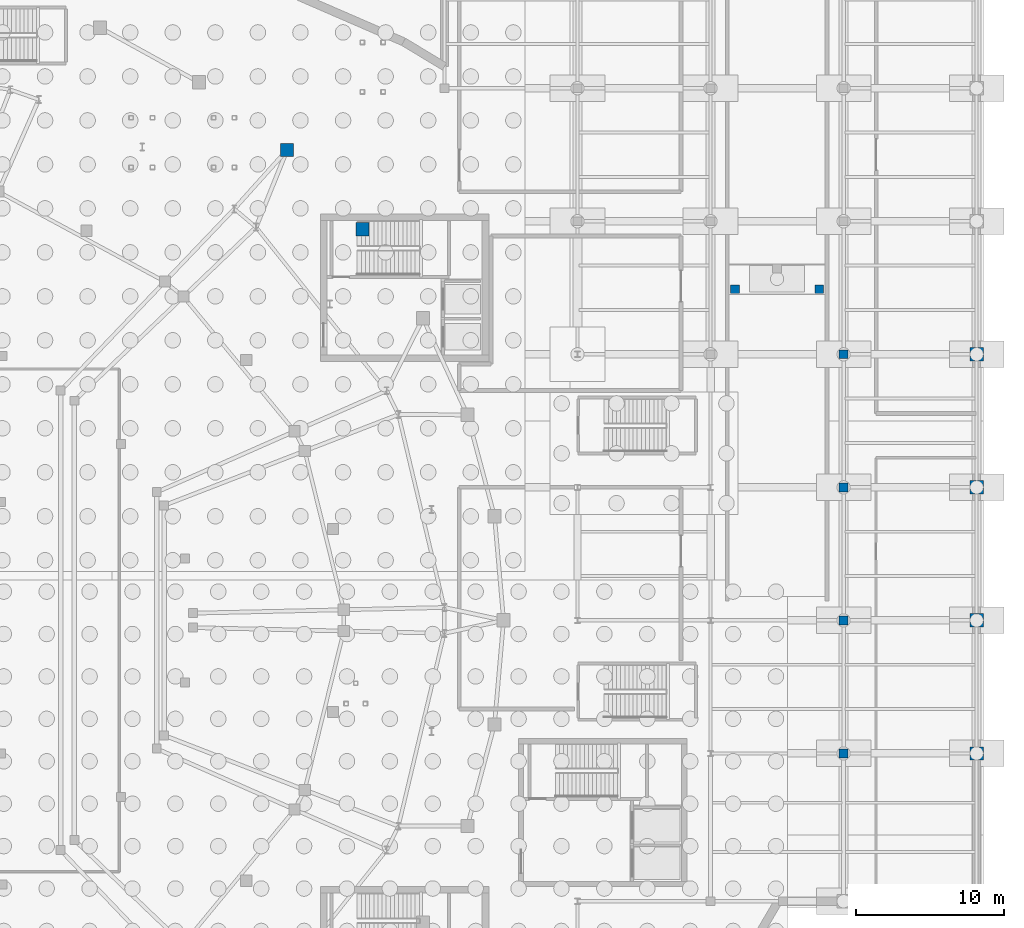
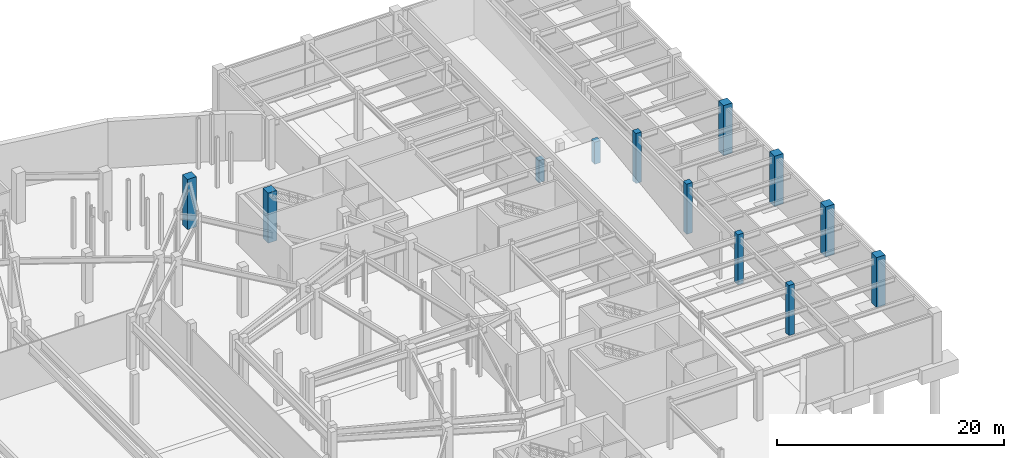
# One storey, part 28 of 56: 12 columns.
"""IFC4 building model written with IfcOpenShell, lengths in metres."""

import ifcopenshell
import ifcopenshell.guid

model = None  # the IFC model being written
_history = None  # IfcOwnerHistory: only IFC2X3 demands one
_inside = {}  # id of a spatial element -> (the spatial element, [elements in it])
_under = {}  # id of a project, library or spatial element -> (it, [spatial elements below it])
_declared = {}  # id of a project -> (the project, [libraries it declares])
_typed = {}  # id of a type object -> (the type object, [elements of that type])
_made_of = {}  # id of a material, layer set ... -> (it, [elements and type objects made of it])


def new_model(schema):
    """Start an empty IFC model of exactly this schema.

    Asked for "IFC4X3", IfcOpenShell would pick the latest addendum, in which some entities
    have other attributes; the version numbers below select the first issue.
    IFC2X3 requires an IfcOwnerHistory on every rooted entity: one is made here for all.
    """
    global model, _history
    if schema == "IFC4X3":
        model = ifcopenshell.file(schema_version=(4, 3, 0, 0))
    else:
        model = ifcopenshell.file(schema=schema)
    _inside.clear()
    _under.clear()
    _declared.clear()
    _typed.clear()
    _made_of.clear()
    _history = None
    if model.schema == "IFC2X3":
        org = make("IfcOrganization", Name="unknown")
        user = make(
            "IfcPersonAndOrganization",
            ThePerson=make("IfcPerson", FamilyName="unknown"),
            TheOrganization=org,
        )
        app = make(
            "IfcApplication",
            ApplicationDeveloper=org,
            Version="unknown",
            ApplicationFullName="unknown",
            ApplicationIdentifier="unknown",
        )
        _history = make(
            "IfcOwnerHistory",
            OwningUser=user,
            OwningApplication=app,
            ChangeAction="ADDED",
            CreationDate=0,
        )
    return model


def make(cls, **values):
    """One entity of the class cls with the attributes given. An attribute that is None is left unset."""
    return model.create_entity(
        cls, **{name: value for name, value in values.items() if value is not None}
    )


def rooted(cls, **values):
    """An entity with a GlobalId (a new one), such as an element, a storey or a relation."""
    return make(cls, GlobalId=ifcopenshell.guid.new(), OwnerHistory=_history, **values)


def si_unit(unit_type, name, prefix=None):
    """IfcSIUnit, for example si_unit("LENGTHUNIT", "METRE", prefix="MILLI")."""
    return make("IfcSIUnit", UnitType=unit_type, Prefix=prefix, Name=name)


def assignment(units):
    """IfcUnitAssignment: the units of a project."""
    return None if units is None else make("IfcUnitAssignment", Units=units)


def point(xyz):
    """IfcCartesianPoint."""
    return None if xyz is None else make("IfcCartesianPoint", Coordinates=xyz)


def direction(xyz):
    """IfcDirection."""
    return None if xyz is None else make("IfcDirection", DirectionRatios=xyz)


def frame(location, z_axis=None, x_axis=None):
    """IfcAxis2Placement3D, a coordinate frame: its origin and axes. An axis left out is left unset."""
    return make(
        "IfcAxis2Placement3D",
        Location=point(location),
        Axis=direction(z_axis),
        RefDirection=direction(x_axis),
    )


def frame_2d(location, x_axis=None):
    """IfcAxis2Placement2D, a coordinate frame in the plane: its origin and x axis."""
    return make(
        "IfcAxis2Placement2D", Location=point(location), RefDirection=direction(x_axis)
    )


def origin():
    """The frame at (0, 0, 0) with its axes left unset."""
    return frame((0.0, 0.0, 0.0))


def origin_2d():
    """The frame at (0, 0) in the plane with its x axis left unset."""
    return frame_2d((0.0, 0.0))


def place(relative_to, where):
    """IfcLocalPlacement: puts the frame where relative to a parent placement (None: the world)."""
    return make(
        "IfcLocalPlacement", PlacementRelTo=relative_to, RelativePlacement=where
    )


def context(
    kind, dimensions, precision=None, world=None, true_north=None, identifier=None
):
    """IfcGeometricRepresentationContext, for example the 3D "Model" context."""
    return make(
        "IfcGeometricRepresentationContext",
        ContextIdentifier=identifier,
        ContextType=kind,
        CoordinateSpaceDimension=dimensions,
        Precision=precision,
        WorldCoordinateSystem=world,
        TrueNorth=true_north,
    )


def subcontext(parent, identifier, kind, view, scale=None):
    """IfcGeometricRepresentationSubContext, for example "Body" below "Model"."""
    return make(
        "IfcGeometricRepresentationSubContext",
        ContextIdentifier=identifier,
        ContextType=kind,
        ParentContext=parent,
        TargetScale=scale,
        TargetView=view,
    )


def project(units=None, contexts=None):
    """IfcProject with its units and contexts."""
    return rooted(
        "IfcProject",
        Name="project",
        RepresentationContexts=contexts,
        UnitsInContext=assignment(units),
    )


def spatial(cls, under=None, at=None, **own):
    """A site, building, storey or space (cls), placed at a placement, below another one or the project."""
    s = rooted(cls, ObjectPlacement=at, **own)
    if under is not None:
        _under.setdefault(under.id(), (under, []))[1].append(s)
    return s


def profile(cls, at=None, kind="AREA", **sizes):
    """A parametric profile (cls). Its sizes go by their IFC names, for example OverallWidth=200.0."""
    return make(cls, ProfileType=kind, Position=at, **sizes)


def rectangle(**sizes):
    """IfcRectangleProfileDef."""
    return profile("IfcRectangleProfileDef", **sizes)


def extrude(swept, where, along, depth):
    """IfcExtrudedAreaSolid: the profile swept, set in the frame where, extruded along a direction by depth."""
    return make(
        "IfcExtrudedAreaSolid",
        SweptArea=swept,
        Position=where,
        ExtrudedDirection=direction(along),
        Depth=depth,
    )


def shape(context_of_items, identifier, shape_type, items):
    """IfcShapeRepresentation: the items that make up one representation, for example the "Body"."""
    return make(
        "IfcShapeRepresentation",
        ContextOfItems=context_of_items,
        RepresentationIdentifier=identifier,
        RepresentationType=shape_type,
        Items=items,
    )


def material(Name=None, Category=None):
    """IfcMaterial."""
    return make("IfcMaterial", Name=Name, Category=Category)


def material_profile(
    of_material, cross_section, Name=None, Category=None, Priority=None
):
    """IfcMaterialProfile: a cross section and its material."""
    return make(
        "IfcMaterialProfile",
        Name=Name,
        Material=of_material,
        Profile=cross_section,
        Priority=Priority,
        Category=Category,
    )


def profile_set(profiles, Name=None, composite=None):
    """IfcMaterialProfileSet."""
    return make(
        "IfcMaterialProfileSet",
        Name=Name,
        MaterialProfiles=profiles,
        CompositeProfile=composite,
    )


def made_of(thing, what):
    """Note that an element or type object is made of a material, layer set ...; save() writes the relation."""
    if what is not None:
        _made_of.setdefault(what.id(), (what, []))[1].append(thing)
    return thing


def type_object(cls, material=None, **own):
    """A type object (cls), such as IfcWallType, which elements share."""
    return made_of(rooted(cls, **own), material)


def element(
    cls,
    number,
    at=None,
    inside=None,
    cuts=None,
    type_object=None,
    material=None,
    context=None,
    identifier="Body",
    shape_type=None,
    held_by="IfcProductDefinitionShape",
    body=None,
    shapes=None,
    **own,
):
    """One element of the class cls, such as IfcWall. Its Tag is "e" and its number.

    at: its placement. inside: the storey or other place that contains it. cuts: it is an
    opening in that element (IfcRelVoidsElement). A single representation is given by context,
    identifier, shape_type and body (its items); several are given by shapes. held_by: the class
    of the entity that holds the representations. save() writes the other relations.
    """
    e = rooted(cls, Tag="e%d" % number, ObjectPlacement=at, **own)
    if body is not None:
        shapes = [shape(context, identifier, shape_type, body)]
    if shapes is not None:
        e.Representation = make(held_by, Representations=shapes)
    if inside is not None:
        _inside.setdefault(inside.id(), (inside, []))[1].append(e)
    if cuts is not None:
        rooted(
            "IfcRelVoidsElement", RelatingBuildingElement=cuts, RelatedOpeningElement=e
        )
    if type_object is not None:
        _typed.setdefault(type_object.id(), (type_object, []))[1].append(e)
    return made_of(e, material)


def aggregate(whole, parts):
    """IfcRelAggregates: a whole, such as a stair, and the parts it consists of."""
    return rooted("IfcRelAggregates", RelatingObject=whole, RelatedObjects=parts)


def save(model, path):
    """Write the relations noted so far, then the file.

    IfcRelAggregates (storeys below a building ...), IfcRelContainedInSpatialStructure (elements
    in a storey), IfcRelDefinesByType, IfcRelAssociatesMaterial and IfcRelDeclares: one each for
    every whole, place, type object, material and project.
    """
    for whole, parts in _under.values():
        aggregate(whole, parts)
    for where, things in _inside.values():
        rooted(
            "IfcRelContainedInSpatialStructure",
            RelatedElements=things,
            RelatingStructure=where,
        )
    for kind, things in _typed.values():
        rooted("IfcRelDefinesByType", RelatedObjects=things, RelatingType=kind)
    for what, things in _made_of.values():
        rooted("IfcRelAssociatesMaterial", RelatedObjects=things, RelatingMaterial=what)
    for by, libraries in _declared.values():
        rooted("IfcRelDeclares", RelatingContext=by, RelatedDefinitions=libraries)
    model.write(path)


model = new_model("IFC4")

# Units and contexts
model_context = context("Model", 3, precision=1e-05, world=origin(), true_north=direction((0.0, 1.0)))
body_context = subcontext(model_context, "Body", "Model", "MODEL_VIEW")
ifc_project = project(units=[si_unit("LENGTHUNIT", "METRE"), si_unit("AREAUNIT", "SQUARE_METRE"), si_unit("VOLUMEUNIT", "CUBIC_METRE"), si_unit("PLANEANGLEUNIT", "RADIAN"), si_unit("MASSUNIT", "GRAM", prefix="KILO")], contexts=[model_context])

# Site, building, storey
site_placement = place(None, origin())
site = spatial("IfcSite", under=ifc_project, at=site_placement, CompositionType="ELEMENT")
building_placement = place(site_placement, origin())
building = spatial("IfcBuilding", under=site, at=building_placement, Name="Glasvene Arena", CompositionType="ELEMENT")
storey_placement = place(building_placement, frame((0.0, 0.0, -5.39990234375)))
storey = spatial("IfcBuildingStorey", under=building, at=storey_placement, Name="B1", CompositionType="ELEMENT", Elevation=-5.39990234375)

# Columns
ifc_material = material(Name="Concrete C40/50", Category="concrete")
ifc_material_profile_1 = material_profile(ifc_material, rectangle(XDim=0.89990234375, YDim=0.89990234375, at=origin_2d()), Name="RC 900x900")
ifc_profile_set_1 = profile_set([ifc_material_profile_1], Name="Concrete C40/50")
column_type_1 = type_object("IfcColumnType", Name="COL-BOWL-RC900", PredefinedType="COLUMN", material=ifc_profile_set_1)
for number, where, z_axis, x_axis, name in (
    (1, (132.45068359375, 99.4501953125, 0.0), (0.0, 0.0, 1.0), (1.0, 0.0, 0.0), "Bowl ring column R05 B1"),
    (2, (127.355224609375, 104.81982421875, 0.0), (0.0, 0.0, 1.0), (1.0, 0.0, 0.0), "Bowl ring column R06 B1"),
    (3, (174.0, 64.0, 0.0), (0.0, 0.0, 1.0), (1.0, 0.0, 0.0), "Grid column 20-8 B1"),
    (4, (174.0, 73.0, 0.0), (0.0, 0.0, 1.0), (1.0, 0.0, 0.0), "Grid column 20-9 B1"),
    (5, (174.0, 82.0, 0.0), (0.0, 0.0, 1.0), (1.0, 0.0, 0.0), "Grid column 20-10 B1"),
    (6, (174.0, 91.0, 0.0), (0.0, 0.0, 1.0), (1.0, 0.0, 0.0), "Grid column 20-11 B1"),
):
    element("IfcColumn", number, at=place(storey_placement, frame(where, z_axis=z_axis, x_axis=x_axis)), inside=storey, type_object=column_type_1, Name=name, PredefinedType="COLUMN", context=body_context, shape_type="SweptSolid", body=[
        extrude(rectangle(XDim=0.89990234375, YDim=0.89990234375, at=origin_2d()), origin(), (0.0, 0.0, 1.0), 5.39990234375),
    ])
ifc_material_profile_2 = material_profile(ifc_material, rectangle(XDim=0.60009765625, YDim=0.60009765625, at=origin_2d()), Name="RC 600x600")
ifc_profile_set_2 = profile_set([ifc_material_profile_2], Name="Concrete C40/50")
column_type_2 = type_object("IfcColumnType", Name="COL-IN-RC600", PredefinedType="COLUMN", material=ifc_profile_set_2)
for number, where, z_axis, x_axis, name in (
    (7, (165.0, 64.0, 0.0), (0.0, 0.0, 1.0), (1.0, 0.0, 0.0), "Grid column 19-8 B1"),
    (8, (165.0, 73.0, 0.0), (0.0, 0.0, 1.0), (1.0, 0.0, 0.0), "Grid column 19-9 B1"),
    (9, (165.0, 82.0, 0.0), (0.0, 0.0, 1.0), (1.0, 0.0, 0.0), "Grid column 19-10 B1"),
    (10, (165.0, 91.0, 0.0), (0.0, 0.0, 1.0), (1.0, 0.0, 0.0), "Grid column 19-11 B1"),
):
    element("IfcColumn", number, at=place(storey_placement, frame(where, z_axis=z_axis, x_axis=x_axis)), inside=storey, type_object=column_type_2, Name=name, PredefinedType="COLUMN", context=body_context, shape_type="SweptSolid", body=[
        extrude(rectangle(XDim=0.60009765625, YDim=0.60009765625, at=origin_2d()), origin(), (0.0, 0.0, 1.0), 5.39990234375),
    ])
for number, where, z_axis, x_axis, name in (
    (11, (157.64990234375, 95.39990234375, 0.0), (0.0, 0.0, 1.0), (1.0, 0.0, 0.0), "Vehicle ramp mid-landing column"),
    (12, (163.35009765625, 95.39990234375, 0.0), (0.0, 0.0, 1.0), (1.0, 0.0, 0.0), "Vehicle ramp mid-landing column"),
):
    element("IfcColumn", number, at=place(storey_placement, frame(where, z_axis=z_axis, x_axis=x_axis)), inside=storey, type_object=column_type_2, Name=name, PredefinedType="COLUMN", context=body_context, shape_type="SweptSolid", body=[
        extrude(rectangle(XDim=0.60009765625, YDim=0.60009765625, at=origin_2d()), origin(), (0.0, 0.0, 1.0), 2.3798828125),
    ])

save(model, "model.ifc")
